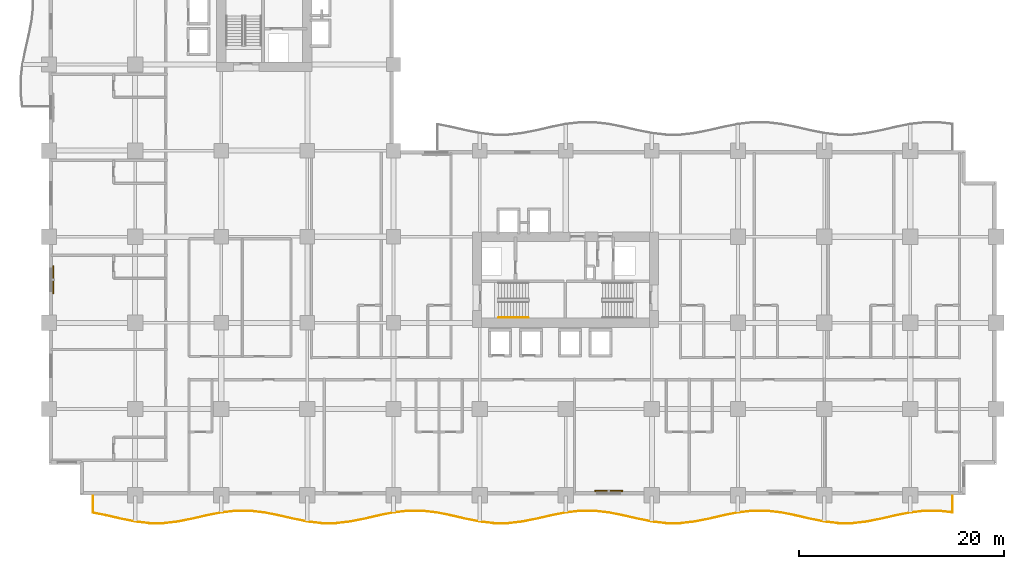
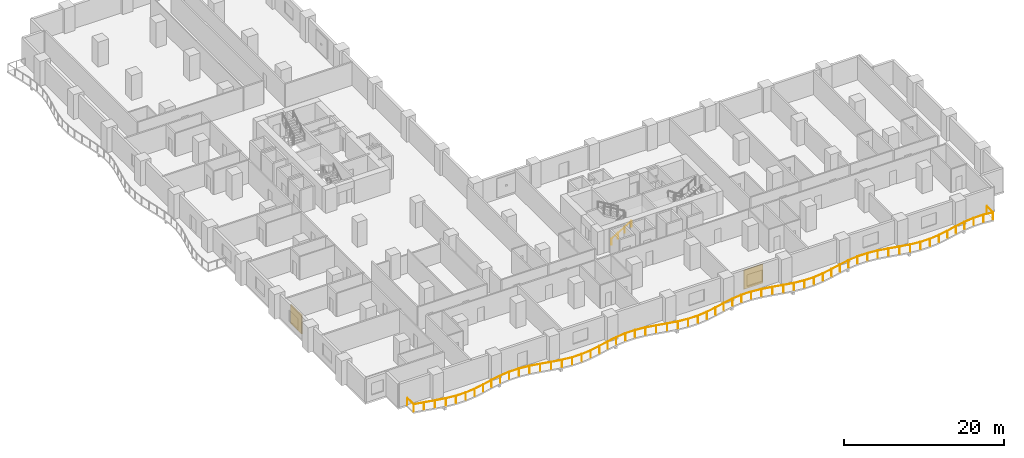
# One storey, part 19 of 22: 2 railings, 2 shading devices.
"""IFC4 building model written with IfcOpenShell, lengths in metres."""

from ifc_helpers import new_model, si_unit, direction, frame, origin, origin_2d, place, context, subcontext, project, spatial, rectangle, circle, extrude, material, layer, layer_set, type_object, element, save


model = new_model("IFC4")

# Units and contexts
model_context = context("Model", 3, precision=1e-05, world=origin(), true_north=direction((0.0, 1.0)))
body_context = subcontext(model_context, "Body", "Model", "MODEL_VIEW")
ifc_project = project(units=[si_unit("LENGTHUNIT", "METRE"), si_unit("AREAUNIT", "SQUARE_METRE"), si_unit("VOLUMEUNIT", "CUBIC_METRE"), si_unit("PLANEANGLEUNIT", "RADIAN"), si_unit("MASSUNIT", "GRAM", prefix="KILO")], contexts=[model_context])

# Site, building, storey
site_placement = place(None, origin())
site = spatial("IfcSite", under=ifc_project, at=site_placement, CompositionType="ELEMENT")
building_placement = place(site_placement, origin())
building = spatial("IfcBuilding", under=site, at=building_placement, Name="Koriwani Terraces Tower", CompositionType="ELEMENT")
storey_placement = place(building_placement, frame((0.0, 0.0, 43.39990234375)))
storey = spatial("IfcBuildingStorey", under=building, at=storey_placement, Name="L09", CompositionType="ELEMENT", Elevation=43.39990234375)

# Railings
ifc_material_1 = material(Name="Steel ASTM A572 Grade 50", Category="steel")
railing_type_1 = type_object("IfcRailingType", Name="GUARD_BALUSTRADE_1150", PredefinedType="BALUSTRADE", material=ifc_material_1)
railing_1_placement = place(storey_placement, frame((4.280029296875, -0.080078125, 0.0)))
element("IfcRailing", 1, at=railing_1_placement, inside=storey, type_object=railing_type_1, Name="L09 Balcony Perimeter Safety Balustrade (S)", PredefinedType="BALUSTRADE", context=body_context, shape_type="SweptSolid", body=[
    extrude(circle(Radius=0.02392578125, at=origin_2d()), frame((0.0, 0.0, 1.1259765625), z_axis=(0.0, -1.0, 0.0), x_axis=(1.0, 0.0, 0.0)), (0.0, 0.0, 1.0), 1.637451171875),
    extrude(circle(Radius=0.02392578125, at=origin_2d()), frame((0.0, -1.637451171875, 1.1259765625), z_axis=(0.980553117747, -0.196253874553, 0.0), x_axis=(0.196253874553, 0.980553117747, 0.0)), (0.0, 0.0, 1.0), 1.363525390625),
    extrude(circle(Radius=0.02392578125, at=origin_2d()), frame((1.3369140625, -1.905029296875, 1.1259765625), z_axis=(0.974325285753, -0.225144925641, 0.0), x_axis=(0.225144925641, 0.974325285753, 0.0)), (0.0, 0.0, 1.0), 1.436767578125),
    extrude(circle(Radius=0.02392578125, at=origin_2d()), frame((2.73681640625, -2.228515625, 1.1259765625), z_axis=(0.980560880312, -0.196215086073, 0.0), x_axis=(0.196215086073, 0.980560880312, 0.0)), (0.0, 0.0, 1.0), 1.42333984375),
    extrude(circle(Radius=0.02392578125, at=origin_2d()), frame((4.132568359375, -2.5078125, 1.1259765625), z_axis=(0.993387554732, -0.114809259658, 0.0), x_axis=(0.114809259658, 0.993387554732, 0.0)), (0.0, 0.0, 1.0), 1.4013671875),
    extrude(circle(Radius=0.02392578125, at=origin_2d()), frame((5.524658203125, -2.668701171875, 1.1259765625), z_axis=(1.0, 0.0, 0.0), x_axis=(0.0, 1.0, 0.0)), (0.0, 0.0, 1.0), 1.390625),
    extrude(circle(Radius=0.02392578125, at=origin_2d()), frame((6.915283203125, -2.668701171875, 1.1259765625), z_axis=(0.993387554732, 0.114809259658, 0.0), x_axis=(-0.114809259658, 0.993387554732, 0.0)), (0.0, 0.0, 1.0), 1.4013671875),
    extrude(circle(Radius=0.02392578125, at=origin_2d()), frame((8.307373046875, -2.5078125, 1.1259765625), z_axis=(0.980560880312, 0.196215086073, 0.0), x_axis=(-0.196215086073, 0.980560880312, 0.0)), (0.0, 0.0, 1.0), 1.42333984375),
    extrude(circle(Radius=0.02392578125, at=origin_2d()), frame((9.703125, -2.228515625, 1.1259765625), z_axis=(0.974325285753, 0.225144925641, 0.0), x_axis=(-0.225144925641, 0.974325285753, 0.0)), (0.0, 0.0, 1.0), 1.436767578125),
    extrude(circle(Radius=0.02392578125, at=origin_2d()), frame((11.10302734375, -1.905029296875, 1.1259765625), z_axis=(0.980567562379, 0.196181690301, 0.0), x_axis=(-0.196181690301, 0.980567562379, 0.0)), (0.0, 0.0, 1.0), 1.432373046875),
    extrude(circle(Radius=0.02392578125, at=origin_2d()), frame((12.507568359375, -1.6240234375, 1.1259765625), z_axis=(0.993395347306, 0.114741814309, 0.0), x_axis=(-0.114741814309, 0.993395347306, 0.0)), (0.0, 0.0, 1.0), 1.4169921875),
    extrude(circle(Radius=0.02392578125, at=origin_2d()), frame((13.915283203125, -1.46142578125, 1.1259765625), z_axis=(1.0, 0.0, 0.0), x_axis=(0.0, 1.0, 0.0)), (0.0, 0.0, 1.0), 1.4091796875),
    extrude(circle(Radius=0.02392578125, at=origin_2d()), frame((15.324462890625, -1.46142578125, 1.1259765625), z_axis=(0.993397614974, -0.114722179915, 0.0), x_axis=(0.114722179915, 0.993397614974, 0.0)), (0.0, 0.0, 1.0), 1.417236328125),
    extrude(circle(Radius=0.02392578125, at=origin_2d()), frame((16.732421875, -1.6240234375, 1.1259765625), z_axis=(0.980567562379, -0.196181690301, 0.0), x_axis=(0.196181690301, 0.980567562379, 0.0)), (0.0, 0.0, 1.0), 1.432373046875),
    extrude(circle(Radius=0.02392578125, at=origin_2d()), frame((18.136962890625, -1.905029296875, 1.1259765625), z_axis=(0.974325285753, -0.225144925641, 0.0), x_axis=(0.225144925641, 0.974325285753, 0.0)), (0.0, 0.0, 1.0), 1.436767578125),
    extrude(circle(Radius=0.02392578125, at=origin_2d()), frame((19.536865234375, -2.228515625, 1.1259765625), z_axis=(0.980554275191, -0.196248091466, 0.0), x_axis=(0.196248091466, 0.980554275191, 0.0)), (0.0, 0.0, 1.0), 1.423095703125),
    extrude(circle(Radius=0.02392578125, at=origin_2d()), frame((20.932373046875, -2.5078125, 1.1259765625), z_axis=(0.993387554732, -0.114809259658, 0.0), x_axis=(0.114809259658, 0.993387554732, 0.0)), (0.0, 0.0, 1.0), 1.4013671875),
    extrude(circle(Radius=0.02392578125, at=origin_2d()), frame((22.324462890625, -2.668701171875, 1.1259765625), z_axis=(1.0, 0.0, 0.0), x_axis=(0.0, 1.0, 0.0)), (0.0, 0.0, 1.0), 1.390869140625),
    extrude(circle(Radius=0.02392578125, at=origin_2d()), frame((23.71533203125, -2.668701171875, 1.1259765625), z_axis=(0.993387554732, 0.114809259658, 0.0), x_axis=(-0.114809259658, 0.993387554732, 0.0)), (0.0, 0.0, 1.0), 1.4013671875),
    extrude(circle(Radius=0.02392578125, at=origin_2d()), frame((25.107421875, -2.5078125, 1.1259765625), z_axis=(0.980560880312, 0.196215086073, 0.0), x_axis=(-0.196215086073, 0.980560880312, 0.0)), (0.0, 0.0, 1.0), 1.42333984375),
    extrude(circle(Radius=0.02392578125, at=origin_2d()), frame((26.503173828125, -2.228515625, 1.1259765625), z_axis=(0.974325285753, 0.225144925641, 0.0), x_axis=(-0.225144925641, 0.974325285753, 0.0)), (0.0, 0.0, 1.0), 1.436767578125),
    extrude(circle(Radius=0.02392578125, at=origin_2d()), frame((27.903076171875, -1.905029296875, 1.1259765625), z_axis=(0.980567562379, 0.196181690301, 0.0), x_axis=(-0.196181690301, 0.980567562379, 0.0)), (0.0, 0.0, 1.0), 1.432373046875),
    extrude(circle(Radius=0.02392578125, at=origin_2d()), frame((29.3076171875, -1.6240234375, 1.1259765625), z_axis=(0.993395347306, 0.114741814309, 0.0), x_axis=(-0.114741814309, 0.993395347306, 0.0)), (0.0, 0.0, 1.0), 1.4169921875),
    extrude(circle(Radius=0.02392578125, at=origin_2d()), frame((30.71533203125, -1.46142578125, 1.1259765625), z_axis=(1.0, 0.0, 0.0), x_axis=(0.0, 1.0, 0.0)), (0.0, 0.0, 1.0), 1.4091796875),
    extrude(circle(Radius=0.02392578125, at=origin_2d()), frame((32.12451171875, -1.46142578125, 1.1259765625), z_axis=(0.993397614974, -0.114722179915, 0.0), x_axis=(0.114722179915, 0.993397614974, 0.0)), (0.0, 0.0, 1.0), 1.417236328125),
    extrude(circle(Radius=0.02392578125, at=origin_2d()), frame((33.532470703125, -1.6240234375, 1.1259765625), z_axis=(0.980561000791, -0.19621448399, 0.0), x_axis=(0.19621448399, 0.980561000791, 0.0)), (0.0, 0.0, 1.0), 1.43212890625),
    extrude(circle(Radius=0.02392578125, at=origin_2d()), frame((34.936767578125, -1.905029296875, 1.1259765625), z_axis=(0.974333896935, -0.225107657095, 0.0), x_axis=(0.225107657095, 0.974333896935, 0.0)), (0.0, 0.0, 1.0), 1.43701171875),
    extrude(circle(Radius=0.02392578125, at=origin_2d()), frame((36.3369140625, -2.228515625, 1.1259765625), z_axis=(0.980554275191, -0.196248091466, 0.0), x_axis=(0.196248091466, 0.980554275191, 0.0)), (0.0, 0.0, 1.0), 1.423095703125),
    extrude(circle(Radius=0.02392578125, at=origin_2d()), frame((37.732421875, -2.5078125, 1.1259765625), z_axis=(0.993387554732, -0.114809259658, 0.0), x_axis=(0.114809259658, 0.993387554732, 0.0)), (0.0, 0.0, 1.0), 1.4013671875),
    extrude(circle(Radius=0.02392578125, at=origin_2d()), frame((39.12451171875, -2.668701171875, 1.1259765625), z_axis=(1.0, 0.0, 0.0), x_axis=(0.0, 1.0, 0.0)), (0.0, 0.0, 1.0), 1.390869140625),
    extrude(circle(Radius=0.02392578125, at=origin_2d()), frame((40.515380859375, -2.668701171875, 1.1259765625), z_axis=(0.993387554732, 0.114809259658, 0.0), x_axis=(-0.114809259658, 0.993387554732, 0.0)), (0.0, 0.0, 1.0), 1.4013671875),
    extrude(circle(Radius=0.02392578125, at=origin_2d()), frame((41.907470703125, -2.5078125, 1.1259765625), z_axis=(0.980554275191, 0.196248091466, 0.0), x_axis=(-0.196248091466, 0.980554275191, 0.0)), (0.0, 0.0, 1.0), 1.423095703125),
    extrude(circle(Radius=0.02392578125, at=origin_2d()), frame((43.302978515625, -2.228515625, 1.1259765625), z_axis=(0.974333896935, 0.225107657095, 0.0), x_axis=(-0.225107657095, 0.974333896935, 0.0)), (0.0, 0.0, 1.0), 1.43701171875),
    extrude(circle(Radius=0.02392578125, at=origin_2d()), frame((44.703125, -1.905029296875, 1.1259765625), z_axis=(0.980567562379, 0.196181690301, 0.0), x_axis=(-0.196181690301, 0.980567562379, 0.0)), (0.0, 0.0, 1.0), 1.432373046875),
    extrude(circle(Radius=0.02392578125, at=origin_2d()), frame((46.107666015625, -1.6240234375, 1.1259765625), z_axis=(0.993395347306, 0.114741814309, 0.0), x_axis=(-0.114741814309, 0.993395347306, 0.0)), (0.0, 0.0, 1.0), 1.4169921875),
    extrude(circle(Radius=0.02392578125, at=origin_2d()), frame((47.515380859375, -1.46142578125, 1.1259765625), z_axis=(1.0, 0.0, 0.0), x_axis=(0.0, 1.0, 0.0)), (0.0, 0.0, 1.0), 1.4091796875),
    extrude(circle(Radius=0.02392578125, at=origin_2d()), frame((48.924560546875, -1.46142578125, 1.1259765625), z_axis=(0.993395347306, -0.114741814309, 0.0), x_axis=(0.114741814309, 0.993395347306, 0.0)), (0.0, 0.0, 1.0), 1.4169921875),
    extrude(circle(Radius=0.02392578125, at=origin_2d()), frame((50.332275390625, -1.6240234375, 1.1259765625), z_axis=(0.980567562379, -0.196181690301, 0.0), x_axis=(0.196181690301, 0.980567562379, 0.0)), (0.0, 0.0, 1.0), 1.432373046875),
    extrude(circle(Radius=0.02392578125, at=origin_2d()), frame((51.73681640625, -1.905029296875, 1.1259765625), z_axis=(0.974333896935, -0.225107657095, 0.0), x_axis=(0.225107657095, 0.974333896935, 0.0)), (0.0, 0.0, 1.0), 1.43701171875),
    extrude(circle(Radius=0.02392578125, at=origin_2d()), frame((53.136962890625, -2.228515625, 1.1259765625), z_axis=(0.980554275191, -0.196248091466, 0.0), x_axis=(0.196248091466, 0.980554275191, 0.0)), (0.0, 0.0, 1.0), 1.423095703125),
    extrude(circle(Radius=0.02392578125, at=origin_2d()), frame((54.532470703125, -2.5078125, 1.1259765625), z_axis=(0.993387554732, -0.114809259658, 0.0), x_axis=(0.114809259658, 0.993387554732, 0.0)), (0.0, 0.0, 1.0), 1.4013671875),
    extrude(circle(Radius=0.02392578125, at=origin_2d()), frame((55.924560546875, -2.668701171875, 1.1259765625), z_axis=(1.0, 0.0, 0.0), x_axis=(0.0, 1.0, 0.0)), (0.0, 0.0, 1.0), 1.390869140625),
    extrude(circle(Radius=0.02392578125, at=origin_2d()), frame((57.3154296875, -2.668701171875, 1.1259765625), z_axis=(0.993387554732, 0.114809259658, 0.0), x_axis=(-0.114809259658, 0.993387554732, 0.0)), (0.0, 0.0, 1.0), 1.4013671875),
    extrude(circle(Radius=0.02392578125, at=origin_2d()), frame((58.70751953125, -2.5078125, 1.1259765625), z_axis=(0.980554275191, 0.196248091466, 0.0), x_axis=(-0.196248091466, 0.980554275191, 0.0)), (0.0, 0.0, 1.0), 1.423095703125),
    extrude(circle(Radius=0.02392578125, at=origin_2d()), frame((60.10302734375, -2.228515625, 1.1259765625), z_axis=(0.974333896935, 0.225107657095, 0.0), x_axis=(-0.225107657095, 0.974333896935, 0.0)), (0.0, 0.0, 1.0), 1.43701171875),
    extrude(circle(Radius=0.02392578125, at=origin_2d()), frame((61.503173828125, -1.905029296875, 1.1259765625), z_axis=(0.980561000791, 0.19621448399, 0.0), x_axis=(-0.19621448399, 0.980561000791, 0.0)), (0.0, 0.0, 1.0), 1.43212890625),
    extrude(circle(Radius=0.02392578125, at=origin_2d()), frame((62.907470703125, -1.6240234375, 1.1259765625), z_axis=(0.993397614974, 0.114722179915, 0.0), x_axis=(-0.114722179915, 0.993397614974, 0.0)), (0.0, 0.0, 1.0), 1.417236328125),
    extrude(circle(Radius=0.02392578125, at=origin_2d()), frame((64.3154296875, -1.46142578125, 1.1259765625), z_axis=(1.0, 0.0, 0.0), x_axis=(0.0, 1.0, 0.0)), (0.0, 0.0, 1.0), 1.4091796875),
    extrude(circle(Radius=0.02392578125, at=origin_2d()), frame((65.724609375, -1.46142578125, 1.1259765625), z_axis=(0.993395347306, -0.114741814309, 0.0), x_axis=(0.114741814309, 0.993395347306, 0.0)), (0.0, 0.0, 1.0), 1.4169921875),
    extrude(circle(Radius=0.02392578125, at=origin_2d()), frame((67.13232421875, -1.6240234375, 1.1259765625), z_axis=(0.980567562379, -0.196181690301, 0.0), x_axis=(0.196181690301, 0.980567562379, 0.0)), (0.0, 0.0, 1.0), 1.432373046875),
    extrude(circle(Radius=0.02392578125, at=origin_2d()), frame((68.536865234375, -1.905029296875, 1.1259765625), z_axis=(0.974325285753, -0.225144925641, 0.0), x_axis=(0.225144925641, 0.974325285753, 0.0)), (0.0, 0.0, 1.0), 1.436767578125),
    extrude(circle(Radius=0.02392578125, at=origin_2d()), frame((69.936767578125, -2.228515625, 1.1259765625), z_axis=(0.980560880312, -0.196215086073, 0.0), x_axis=(0.196215086073, 0.980560880312, 0.0)), (0.0, 0.0, 1.0), 1.42333984375),
    extrude(circle(Radius=0.02392578125, at=origin_2d()), frame((71.33251953125, -2.5078125, 1.1259765625), z_axis=(0.993387554732, -0.114809259658, 0.0), x_axis=(0.114809259658, 0.993387554732, 0.0)), (0.0, 0.0, 1.0), 1.4013671875),
    extrude(circle(Radius=0.02392578125, at=origin_2d()), frame((72.724609375, -2.668701171875, 1.1259765625), z_axis=(1.0, 0.0, 0.0), x_axis=(0.0, 1.0, 0.0)), (0.0, 0.0, 1.0), 1.390869140625),
    extrude(circle(Radius=0.02392578125, at=origin_2d()), frame((74.115478515625, -2.668701171875, 1.1259765625), z_axis=(0.993387554732, 0.114809259658, 0.0), x_axis=(-0.114809259658, 0.993387554732, 0.0)), (0.0, 0.0, 1.0), 1.4013671875),
    extrude(circle(Radius=0.02392578125, at=origin_2d()), frame((75.507568359375, -2.5078125, 1.1259765625), z_axis=(0.980554275191, 0.196248091466, 0.0), x_axis=(-0.196248091466, 0.980554275191, 0.0)), (0.0, 0.0, 1.0), 1.423095703125),
    extrude(circle(Radius=0.02392578125, at=origin_2d()), frame((76.903076171875, -2.228515625, 1.1259765625), z_axis=(0.974325285753, 0.225144925641, 0.0), x_axis=(-0.225144925641, 0.974325285753, 0.0)), (0.0, 0.0, 1.0), 1.436767578125),
    extrude(circle(Radius=0.02392578125, at=origin_2d()), frame((78.302978515625, -1.905029296875, 1.1259765625), z_axis=(0.980567562379, 0.196181690301, 0.0), x_axis=(-0.196181690301, 0.980567562379, 0.0)), (0.0, 0.0, 1.0), 1.432373046875),
    extrude(circle(Radius=0.02392578125, at=origin_2d()), frame((79.70751953125, -1.6240234375, 1.1259765625), z_axis=(0.993397614974, 0.114722179915, 0.0), x_axis=(-0.114722179915, 0.993397614974, 0.0)), (0.0, 0.0, 1.0), 1.417236328125),
    extrude(circle(Radius=0.02392578125, at=origin_2d()), frame((81.115478515625, -1.46142578125, 1.1259765625), z_axis=(1.0, 0.0, 0.0), x_axis=(0.0, 1.0, 0.0)), (0.0, 0.0, 1.0), 1.4091796875),
    extrude(circle(Radius=0.02392578125, at=origin_2d()), frame((82.524658203125, -1.46142578125, 1.1259765625), z_axis=(0.993402474505, -0.11468009264, 0.0), x_axis=(0.11468009264, 0.993402474505, 0.0)), (0.0, 0.0, 1.0), 1.32421875),
    extrude(circle(Radius=0.02392578125, at=origin_2d()), frame((83.840087890625, -1.61328125, 1.1259765625), z_axis=(0.0, 1.0, 0.0), x_axis=(-1.0, 0.0, 0.0)), (0.0, 0.0, 1.0), 1.61328125),
    extrude(circle(Radius=0.02099609375, at=origin_2d()), origin(), (0.0, 0.0, 1.0), 1.101806640625),
    extrude(circle(Radius=0.02099609375, at=origin_2d()), frame((0.0, -1.637451171875, 0.0)), (0.0, 0.0, 1.0), 1.101806640625),
    extrude(circle(Radius=0.02099609375, at=origin_2d()), frame((1.3369140625, -1.905029296875, 0.0)), (0.0, 0.0, 1.0), 1.101806640625),
    extrude(circle(Radius=0.02099609375, at=origin_2d()), frame((2.73681640625, -2.228515625, 0.0)), (0.0, 0.0, 1.0), 1.101806640625),
    extrude(circle(Radius=0.02099609375, at=origin_2d()), frame((4.132568359375, -2.5078125, 0.0)), (0.0, 0.0, 1.0), 1.101806640625),
    extrude(circle(Radius=0.02099609375, at=origin_2d()), frame((5.524658203125, -2.668701171875, 0.0)), (0.0, 0.0, 1.0), 1.101806640625),
    extrude(circle(Radius=0.02099609375, at=origin_2d()), frame((6.915283203125, -2.668701171875, 0.0)), (0.0, 0.0, 1.0), 1.101806640625),
    extrude(circle(Radius=0.02099609375, at=origin_2d()), frame((8.307373046875, -2.5078125, 0.0)), (0.0, 0.0, 1.0), 1.101806640625),
    extrude(circle(Radius=0.02099609375, at=origin_2d()), frame((9.703125, -2.228515625, 0.0)), (0.0, 0.0, 1.0), 1.101806640625),
    extrude(circle(Radius=0.02099609375, at=origin_2d()), frame((11.10302734375, -1.905029296875, 0.0)), (0.0, 0.0, 1.0), 1.101806640625),
    extrude(circle(Radius=0.02099609375, at=origin_2d()), frame((12.507568359375, -1.6240234375, 0.0)), (0.0, 0.0, 1.0), 1.101806640625),
    extrude(circle(Radius=0.02099609375, at=origin_2d()), frame((13.915283203125, -1.46142578125, 0.0)), (0.0, 0.0, 1.0), 1.101806640625),
    extrude(circle(Radius=0.02099609375, at=origin_2d()), frame((15.324462890625, -1.46142578125, 0.0)), (0.0, 0.0, 1.0), 1.101806640625),
    extrude(circle(Radius=0.02099609375, at=origin_2d()), frame((16.732421875, -1.6240234375, 0.0)), (0.0, 0.0, 1.0), 1.101806640625),
    extrude(circle(Radius=0.02099609375, at=origin_2d()), frame((18.136962890625, -1.905029296875, 0.0)), (0.0, 0.0, 1.0), 1.101806640625),
    extrude(circle(Radius=0.02099609375, at=origin_2d()), frame((19.536865234375, -2.228515625, 0.0)), (0.0, 0.0, 1.0), 1.101806640625),
    extrude(circle(Radius=0.02099609375, at=origin_2d()), frame((20.932373046875, -2.5078125, 0.0)), (0.0, 0.0, 1.0), 1.101806640625),
    extrude(circle(Radius=0.02099609375, at=origin_2d()), frame((22.324462890625, -2.668701171875, 0.0)), (0.0, 0.0, 1.0), 1.101806640625),
    extrude(circle(Radius=0.02099609375, at=origin_2d()), frame((23.71533203125, -2.668701171875, 0.0)), (0.0, 0.0, 1.0), 1.101806640625),
    extrude(circle(Radius=0.02099609375, at=origin_2d()), frame((25.107421875, -2.5078125, 0.0)), (0.0, 0.0, 1.0), 1.101806640625),
    extrude(circle(Radius=0.02099609375, at=origin_2d()), frame((26.503173828125, -2.228515625, 0.0)), (0.0, 0.0, 1.0), 1.101806640625),
    extrude(circle(Radius=0.02099609375, at=origin_2d()), frame((27.903076171875, -1.905029296875, 0.0)), (0.0, 0.0, 1.0), 1.101806640625),
    extrude(circle(Radius=0.02099609375, at=origin_2d()), frame((29.3076171875, -1.6240234375, 0.0)), (0.0, 0.0, 1.0), 1.101806640625),
    extrude(circle(Radius=0.02099609375, at=origin_2d()), frame((30.71533203125, -1.46142578125, 0.0)), (0.0, 0.0, 1.0), 1.101806640625),
    extrude(circle(Radius=0.02099609375, at=origin_2d()), frame((32.12451171875, -1.46142578125, 0.0)), (0.0, 0.0, 1.0), 1.101806640625),
    extrude(circle(Radius=0.02099609375, at=origin_2d()), frame((33.532470703125, -1.6240234375, 0.0)), (0.0, 0.0, 1.0), 1.101806640625),
    extrude(circle(Radius=0.02099609375, at=origin_2d()), frame((34.936767578125, -1.905029296875, 0.0)), (0.0, 0.0, 1.0), 1.101806640625),
    extrude(circle(Radius=0.02099609375, at=origin_2d()), frame((36.3369140625, -2.228515625, 0.0)), (0.0, 0.0, 1.0), 1.101806640625),
    extrude(circle(Radius=0.02099609375, at=origin_2d()), frame((37.732421875, -2.5078125, 0.0)), (0.0, 0.0, 1.0), 1.101806640625),
    extrude(circle(Radius=0.02099609375, at=origin_2d()), frame((39.12451171875, -2.668701171875, 0.0)), (0.0, 0.0, 1.0), 1.101806640625),
    extrude(circle(Radius=0.02099609375, at=origin_2d()), frame((40.515380859375, -2.668701171875, 0.0)), (0.0, 0.0, 1.0), 1.101806640625),
    extrude(circle(Radius=0.02099609375, at=origin_2d()), frame((41.907470703125, -2.5078125, 0.0)), (0.0, 0.0, 1.0), 1.101806640625),
    extrude(circle(Radius=0.02099609375, at=origin_2d()), frame((43.302978515625, -2.228515625, 0.0)), (0.0, 0.0, 1.0), 1.101806640625),
    extrude(circle(Radius=0.02099609375, at=origin_2d()), frame((44.703125, -1.905029296875, 0.0)), (0.0, 0.0, 1.0), 1.101806640625),
    extrude(circle(Radius=0.02099609375, at=origin_2d()), frame((46.107666015625, -1.6240234375, 0.0)), (0.0, 0.0, 1.0), 1.101806640625),
    extrude(circle(Radius=0.02099609375, at=origin_2d()), frame((47.515380859375, -1.46142578125, 0.0)), (0.0, 0.0, 1.0), 1.101806640625),
    extrude(circle(Radius=0.02099609375, at=origin_2d()), frame((48.924560546875, -1.46142578125, 0.0)), (0.0, 0.0, 1.0), 1.101806640625),
    extrude(circle(Radius=0.02099609375, at=origin_2d()), frame((50.332275390625, -1.6240234375, 0.0)), (0.0, 0.0, 1.0), 1.101806640625),
    extrude(circle(Radius=0.02099609375, at=origin_2d()), frame((51.73681640625, -1.905029296875, 0.0)), (0.0, 0.0, 1.0), 1.101806640625),
    extrude(circle(Radius=0.02099609375, at=origin_2d()), frame((53.136962890625, -2.228515625, 0.0)), (0.0, 0.0, 1.0), 1.101806640625),
    extrude(circle(Radius=0.02099609375, at=origin_2d()), frame((54.532470703125, -2.5078125, 0.0)), (0.0, 0.0, 1.0), 1.101806640625),
    extrude(circle(Radius=0.02099609375, at=origin_2d()), frame((55.924560546875, -2.668701171875, 0.0)), (0.0, 0.0, 1.0), 1.101806640625),
    extrude(circle(Radius=0.02099609375, at=origin_2d()), frame((57.3154296875, -2.668701171875, 0.0)), (0.0, 0.0, 1.0), 1.101806640625),
    extrude(circle(Radius=0.02099609375, at=origin_2d()), frame((58.70751953125, -2.5078125, 0.0)), (0.0, 0.0, 1.0), 1.101806640625),
    extrude(circle(Radius=0.02099609375, at=origin_2d()), frame((60.10302734375, -2.228515625, 0.0)), (0.0, 0.0, 1.0), 1.101806640625),
    extrude(circle(Radius=0.02099609375, at=origin_2d()), frame((61.503173828125, -1.905029296875, 0.0)), (0.0, 0.0, 1.0), 1.101806640625),
    extrude(circle(Radius=0.02099609375, at=origin_2d()), frame((62.907470703125, -1.6240234375, 0.0)), (0.0, 0.0, 1.0), 1.101806640625),
    extrude(circle(Radius=0.02099609375, at=origin_2d()), frame((64.3154296875, -1.46142578125, 0.0)), (0.0, 0.0, 1.0), 1.101806640625),
    extrude(circle(Radius=0.02099609375, at=origin_2d()), frame((65.724609375, -1.46142578125, 0.0)), (0.0, 0.0, 1.0), 1.101806640625),
    extrude(circle(Radius=0.02099609375, at=origin_2d()), frame((67.13232421875, -1.6240234375, 0.0)), (0.0, 0.0, 1.0), 1.101806640625),
    extrude(circle(Radius=0.02099609375, at=origin_2d()), frame((68.536865234375, -1.905029296875, 0.0)), (0.0, 0.0, 1.0), 1.101806640625),
    extrude(circle(Radius=0.02099609375, at=origin_2d()), frame((69.936767578125, -2.228515625, 0.0)), (0.0, 0.0, 1.0), 1.101806640625),
    extrude(circle(Radius=0.02099609375, at=origin_2d()), frame((71.33251953125, -2.5078125, 0.0)), (0.0, 0.0, 1.0), 1.101806640625),
    extrude(circle(Radius=0.02099609375, at=origin_2d()), frame((72.724609375, -2.668701171875, 0.0)), (0.0, 0.0, 1.0), 1.101806640625),
    extrude(circle(Radius=0.02099609375, at=origin_2d()), frame((74.115478515625, -2.668701171875, 0.0)), (0.0, 0.0, 1.0), 1.101806640625),
    extrude(circle(Radius=0.02099609375, at=origin_2d()), frame((75.507568359375, -2.5078125, 0.0)), (0.0, 0.0, 1.0), 1.101806640625),
    extrude(circle(Radius=0.02099609375, at=origin_2d()), frame((76.903076171875, -2.228515625, 0.0)), (0.0, 0.0, 1.0), 1.101806640625),
    extrude(circle(Radius=0.02099609375, at=origin_2d()), frame((78.302978515625, -1.905029296875, 0.0)), (0.0, 0.0, 1.0), 1.101806640625),
    extrude(circle(Radius=0.02099609375, at=origin_2d()), frame((79.70751953125, -1.6240234375, 0.0)), (0.0, 0.0, 1.0), 1.101806640625),
    extrude(circle(Radius=0.02099609375, at=origin_2d()), frame((81.115478515625, -1.46142578125, 0.0)), (0.0, 0.0, 1.0), 1.101806640625),
    extrude(circle(Radius=0.02099609375, at=origin_2d()), frame((82.524658203125, -1.46142578125, 0.0)), (0.0, 0.0, 1.0), 1.101806640625),
    extrude(circle(Radius=0.02099609375, at=origin_2d()), frame((83.840087890625, -1.61328125, 0.0)), (0.0, 0.0, 1.0), 1.101806640625),
    extrude(circle(Radius=0.02099609375, at=origin_2d()), frame((83.840087890625, 0.0, 0.0)), (0.0, 0.0, 1.0), 1.101806640625),
])
railing_type_2 = type_object("IfcRailingType", Name="HANDRAIL_STAIR_920", PredefinedType="HANDRAIL", material=ifc_material_1)
railing_2_placement = place(storey_placement, frame((43.85009765625, 17.300048828125, 0.1728515625)))
element("IfcRailing", 2, at=railing_2_placement, inside=storey, type_object=railing_type_2, Name="L09 ST-E1 stair handrail 1", PredefinedType="HANDRAIL", context=body_context, shape_type="SweptSolid", body=[
    extrude(circle(Radius=0.02392578125, at=origin_2d()), frame((0.0, 0.0, 0.8759765625), z_axis=(0.859141464434, 0.0, 0.511738159696), x_axis=(0.0, 1.0, 0.0)), (0.0, 0.0, 1.0), 3.375244140625),
    extrude(circle(Radius=0.02099609375, at=origin_2d()), origin(), (0.0, 0.0, 1.0), 0.851806640625),
    extrude(circle(Radius=0.02099609375, at=origin_2d()), frame((0.966552734375, 0.0, 0.57568359375)), (0.0, 0.0, 1.0), 0.851806640625),
    extrude(circle(Radius=0.02099609375, at=origin_2d()), frame((1.933349609375, 0.0, 1.151611328125)), (0.0, 0.0, 1.0), 0.851806640625),
    extrude(circle(Radius=0.02099609375, at=origin_2d()), frame((2.89990234375, 0.0, 1.727294921875)), (0.0, 0.0, 1.0), 0.851806640625),
])

# Shading devices
ifc_material_2 = material(Name="Extruded Terracotta Clay", Category="masonry")
ifc_layer = layer(ifc_material_2, 0.1201171875, Name="Extruded Terracotta Clay")
ifc_layer_set = layer_set([ifc_layer], Name="Extruded Terracotta Clay")
shading_device_type = type_object("IfcShadingDeviceType", Name="TERRACOTTA_BAGUETTE_SCREEN_2800", PredefinedType="USERDEFINED", material=ifc_layer_set)
for number, where, z_axis, x_axis, name in (
    (3, (0.405029296875, 21.0, 0.3251953125), (0.0, 0.0, 1.0), (0.0, 1.0, 0.0), "L09 Extruded Terracotta Baguette Screen (W-6)"),
    (4, (54.60009765625, 0.405029296875, 0.3251953125), (0.0, 0.0, 1.0), (-1.0, 0.0, 0.0), "L09 Extruded Terracotta Baguette Screen (S-18)"),
):
    element("IfcShadingDevice", number, at=place(storey_placement, frame(where, z_axis=z_axis, x_axis=x_axis)), inside=storey, type_object=shading_device_type, Name=name, ObjectType="BAGUETTE", PredefinedType="USERDEFINED", context=body_context, shape_type="SweptSolid", body=[
        extrude(rectangle(XDim=2.760009765625, YDim=0.1201171875, at=origin_2d()), origin(), (0.0, 0.0, 1.0), 2.89990234375),
    ])

save(model, "model.ifc")
